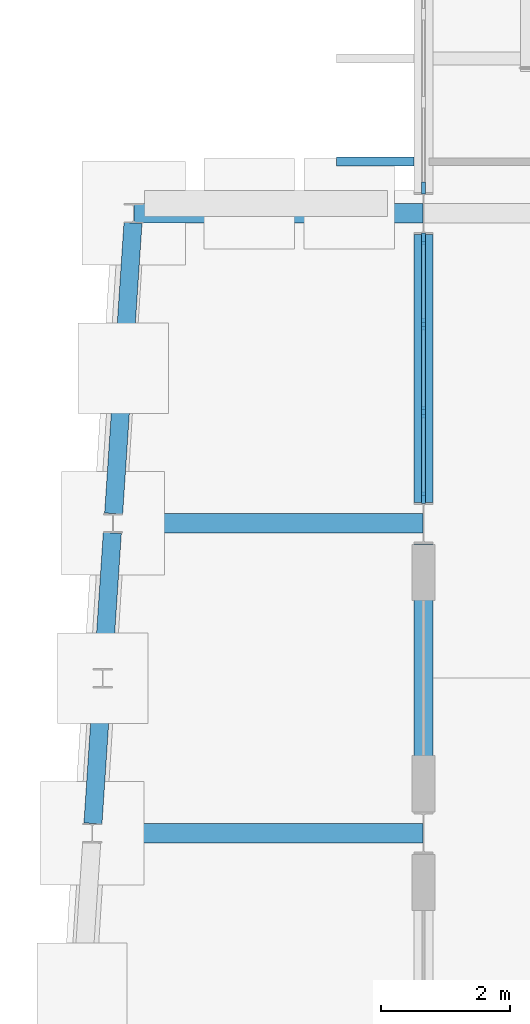
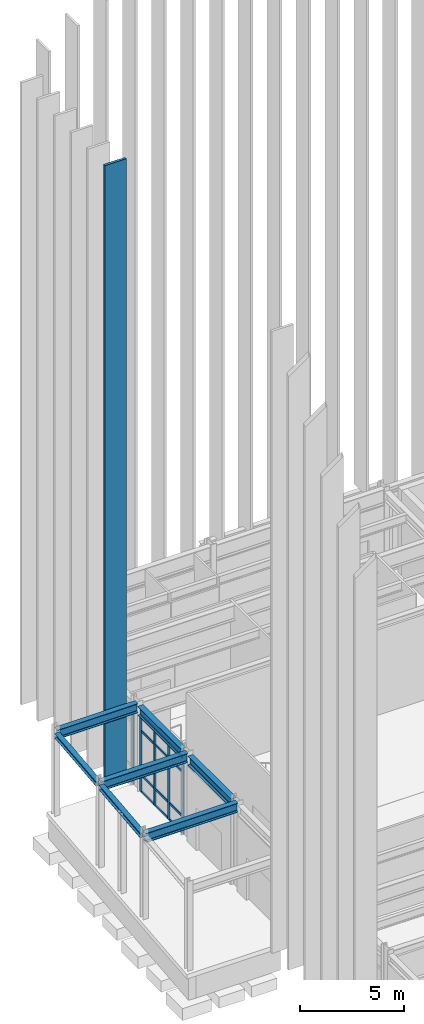
# One storey, part 45 of 109: 18 members, 7 beams, 2 elements without a shape of their own.
"""IFC4 building model written with IfcOpenShell, lengths in metres."""

from ifc_helpers import new_model, si_unit, direction, frame, origin, origin_2d, place, context, subcontext, project, spatial, rectangle, i_section, extrude, material, layer, layer_set, material_profile, profile_set, type_object, element, aggregate, save


model = new_model("IFC4")

# Units and contexts
model_context = context("Model", 3, precision=1e-05, world=origin(), true_north=direction((0.0, 1.0)))
body_context = subcontext(model_context, "Body", "Model", "MODEL_VIEW")
ifc_project = project(units=[si_unit("LENGTHUNIT", "METRE"), si_unit("AREAUNIT", "SQUARE_METRE"), si_unit("VOLUMEUNIT", "CUBIC_METRE"), si_unit("PLANEANGLEUNIT", "RADIAN"), si_unit("MASSUNIT", "GRAM", prefix="KILO")], contexts=[model_context])

# Site, building, storey
site_placement = place(None, origin())
site = spatial("IfcSite", under=ifc_project, at=site_placement, CompositionType="ELEMENT")
building_placement = place(site_placement, origin())
building = spatial("IfcBuilding", under=site, at=building_placement, Name="Nordkorset Police Headquarters", CompositionType="ELEMENT")
storey_placement = place(building_placement, origin())
storey = spatial("IfcBuildingStorey", under=building, at=storey_placement, Name="L00", CompositionType="ELEMENT", Elevation=0.0)

# Beams
ifc_material_1 = material(Name="Steel S355J2", Category="steel")
ifc_material_profile_1 = material_profile(ifc_material_1, i_section(OverallWidth=0.300048828125, OverallDepth=0.5400390625, WebThickness=0.012451171875, FlangeThickness=0.02392578125, FilletRadius=0.027099609375, at=origin_2d()), Name="HEA 550")
ifc_profile_set_1 = profile_set([ifc_material_profile_1], Name="Steel S355J2")
beam_type_1 = type_object("IfcBeamType", Name="BM-CANOPY-GIRD", PredefinedType="USERDEFINED", material=ifc_profile_set_1)
beam_1_placement = place(storey_placement, frame((-5.1240234375, 97.60009765625, 4.72998046875), z_axis=(1.0, 0.0, 0.0), x_axis=(0.0, 1.0, 0.0)))
element("IfcBeam", 1, at=beam_1_placement, inside=storey, type_object=beam_type_1, Name="Forecourt Canopy Girder 2", ObjectType="GIRDER", PredefinedType="USERDEFINED", context=body_context, shape_type="SweptSolid", body=[
    extrude(i_section(OverallWidth=0.300048828125, OverallDepth=0.5400390625, WebThickness=0.012451171875, FlangeThickness=0.02392578125, FilletRadius=0.027099609375, at=origin_2d()), origin(), (0.0, 0.0, 1.0), 5.115966796875),
])
beam_2_placement = place(storey_placement, frame((-4.803955078125, 102.39990234375, 4.72998046875), z_axis=(1.0, 0.0, 0.0), x_axis=(0.0, 1.0, 0.0)))
element("IfcBeam", 2, at=beam_2_placement, inside=storey, type_object=beam_type_1, Name="Forecourt Canopy Girder 3", ObjectType="GIRDER", PredefinedType="USERDEFINED", context=body_context, shape_type="SweptSolid", body=[
    extrude(i_section(OverallWidth=0.300048828125, OverallDepth=0.5400390625, WebThickness=0.012451171875, FlangeThickness=0.02392578125, FilletRadius=0.027099609375, at=origin_2d()), origin(), (0.0, 0.0, 1.0), 4.7958984375),
])
beam_3_placement = place(storey_placement, frame((-4.48388671875, 107.199951171875, 4.72998046875), z_axis=(1.0, 0.0, 0.0), x_axis=(0.0, 1.0, 0.0)))
element("IfcBeam", 3, at=beam_3_placement, inside=storey, type_object=beam_type_1, Name="Forecourt Canopy Girder 4", ObjectType="GIRDER", PredefinedType="USERDEFINED", context=body_context, shape_type="SweptSolid", body=[
    extrude(i_section(OverallWidth=0.300048828125, OverallDepth=0.5400390625, WebThickness=0.012451171875, FlangeThickness=0.02392578125, FilletRadius=0.027099609375, at=origin_2d()), origin(), (0.0, 0.0, 1.0), 4.475830078125),
])

# Curtain wall, members
ifc_material_2 = material(Name="Aluminium alloy AW-6060", Category="aluminium")
ifc_layer = layer(ifc_material_2, 0.179931640625, Name="Aluminium alloy AW-6060")
ifc_layer_set = layer_set([ifc_layer], Name="Aluminium alloy AW-6060")
curtain_wall_type = type_object("IfcCurtainWallType", Name="CW_Unit_408x444", PredefinedType="USERDEFINED", material=ifc_layer_set)
curtain_wall_1_placement = place(storey_placement, origin())
curtain_wall_1 = element("IfcCurtainWall", 4, at=curtain_wall_1_placement, inside=storey, type_object=curtain_wall_type, Name="Unitised Curtain Wall L00 V1W-4", ObjectType="UNITISED CURTAIN WALL", PredefinedType="USERDEFINED")
ifc_material_3 = material(Name="Aluminium alloy AW-6060", Category="aluminium")
ifc_material_profile_2 = material_profile(ifc_material_3, rectangle(XDim=0.06494140625, YDim=0.179931640625, at=origin_2d()), Name="ALU MULL 65x180")
ifc_profile_set_2 = profile_set([ifc_material_profile_2], Name="Aluminium alloy AW-6060")
member_type_1 = type_object("IfcMemberType", Name="CW_Mullion_65x180", PredefinedType="MULLION", material=ifc_profile_set_2)
member_1_placement = place(storey_placement, frame((0.0, 102.79248046875, 0.0), z_axis=(0.0, 0.0, 1.0), x_axis=(-1.0, 0.0, 0.0)))
member_1 = element("IfcMember", 5, at=member_1_placement, type_object=member_type_1, Name="CW-66 mullion 1", PredefinedType="MULLION", context=body_context, shape_type="SweptSolid", body=[
    extrude(rectangle(XDim=0.06494140625, YDim=0.179931640625, at=origin_2d()), origin(), (0.0, 0.0, 1.0), 4.43994140625),
])
member_2_placement = place(storey_placement, frame((0.0, 104.1201171875, 0.0), z_axis=(0.0, 0.0, 1.0), x_axis=(-1.0, 0.0, 0.0)))
member_2 = element("IfcMember", 6, at=member_2_placement, type_object=member_type_1, Name="CW-66 mullion 2", PredefinedType="MULLION", context=body_context, shape_type="SweptSolid", body=[
    extrude(rectangle(XDim=0.06494140625, YDim=0.179931640625, at=origin_2d()), origin(), (0.0, 0.0, 1.0), 4.43994140625),
])
member_3_placement = place(storey_placement, frame((0.0, 105.47998046875, 0.0), z_axis=(0.0, 0.0, 1.0), x_axis=(-1.0, 0.0, 0.0)))
member_3 = element("IfcMember", 7, at=member_3_placement, type_object=member_type_1, Name="CW-66 mullion 3", PredefinedType="MULLION", context=body_context, shape_type="SweptSolid", body=[
    extrude(rectangle(XDim=0.06494140625, YDim=0.179931640625, at=origin_2d()), origin(), (0.0, 0.0, 1.0), 4.43994140625),
])
member_4_placement = place(storey_placement, frame((0.0, 106.8076171875, 0.0), z_axis=(0.0, 0.0, 1.0), x_axis=(-1.0, 0.0, 0.0)))
member_4 = element("IfcMember", 8, at=member_4_placement, type_object=member_type_1, Name="CW-66 mullion 4", PredefinedType="MULLION", context=body_context, shape_type="SweptSolid", body=[
    extrude(rectangle(XDim=0.06494140625, YDim=0.179931640625, at=origin_2d()), origin(), (0.0, 0.0, 1.0), 4.43994140625),
])

# Curtain wall, member
curtain_wall_2_placement = place(storey_placement, origin())
curtain_wall_2 = element("IfcCurtainWall", 9, at=curtain_wall_2_placement, inside=storey, type_object=curtain_wall_type, Name="Unitised Curtain Wall L00 V1W-5", ObjectType="UNITISED CURTAIN WALL", PredefinedType="USERDEFINED")
member_5_placement = place(storey_placement, frame((0.0, 107.592529296875, 0.0), z_axis=(0.0, 0.0, 1.0), x_axis=(-1.0, 0.0, 0.0)))
member_5 = element("IfcMember", 10, at=member_5_placement, type_object=member_type_1, Name="CW-66 mullion 1", PredefinedType="MULLION", context=body_context, shape_type="SweptSolid", body=[
    extrude(rectangle(XDim=0.06494140625, YDim=0.179931640625, at=origin_2d()), origin(), (0.0, 0.0, 1.0), 4.43994140625),
])
aggregate(curtain_wall_2, [member_5])

# Member
ifc_material_4 = material(Name="Aluminium alloy AW-6060", Category="aluminium")
ifc_material_profile_3 = material_profile(ifc_material_4, rectangle(XDim=0.06494140625, YDim=0.139892578125, at=origin_2d()), Name="ALU TRAN 65x140")
ifc_profile_set_3 = profile_set([ifc_material_profile_3], Name="Aluminium alloy AW-6060")
member_type_2 = type_object("IfcMemberType", Name="CW_Transom_65x140", PredefinedType="USERDEFINED", material=ifc_profile_set_3)
member_6_placement = place(storey_placement, frame((0.0, 102.824951171875, 0.032470703125), z_axis=(0.0, 1.0, 0.0), x_axis=(-1.0, 0.0, 0.0)))
member_6 = element("IfcMember", 11, at=member_6_placement, type_object=member_type_2, Name="CW-66 transom 1.1", ObjectType="TRANSOM", PredefinedType="USERDEFINED", context=body_context, shape_type="SweptSolid", body=[
    extrude(rectangle(XDim=0.06494140625, YDim=0.139892578125, at=origin_2d()), origin(), (0.0, 0.0, 1.0), 1.262451171875),
])

member_7_placement = place(storey_placement, frame((0.0, 102.824951171875, 1.0), z_axis=(0.0, 1.0, 0.0), x_axis=(-1.0, 0.0, 0.0)))
member_7 = element("IfcMember", 12, at=member_7_placement, type_object=member_type_2, Name="CW-66 transom 1.2", ObjectType="TRANSOM", PredefinedType="USERDEFINED", context=body_context, shape_type="SweptSolid", body=[
    extrude(rectangle(XDim=0.06494140625, YDim=0.139892578125, at=origin_2d()), origin(), (0.0, 0.0, 1.0), 1.262451171875),
])

member_8_placement = place(storey_placement, frame((0.0, 102.824951171875, 3.590087890625), z_axis=(0.0, 1.0, 0.0), x_axis=(-1.0, 0.0, 0.0)))
member_8 = element("IfcMember", 13, at=member_8_placement, type_object=member_type_2, Name="CW-66 transom 1.3", ObjectType="TRANSOM", PredefinedType="USERDEFINED", context=body_context, shape_type="SweptSolid", body=[
    extrude(rectangle(XDim=0.06494140625, YDim=0.139892578125, at=origin_2d()), origin(), (0.0, 0.0, 1.0), 1.262451171875),
])

member_9_placement = place(storey_placement, frame((0.0, 102.824951171875, 4.407470703125), z_axis=(0.0, 1.0, 0.0), x_axis=(-1.0, 0.0, 0.0)))
member_9 = element("IfcMember", 14, at=member_9_placement, type_object=member_type_2, Name="CW-66 transom 1.4", ObjectType="TRANSOM", PredefinedType="USERDEFINED", context=body_context, shape_type="SweptSolid", body=[
    extrude(rectangle(XDim=0.06494140625, YDim=0.139892578125, at=origin_2d()), origin(), (0.0, 0.0, 1.0), 1.262451171875),
])

member_10_placement = place(storey_placement, frame((0.0, 104.152587890625, 0.032470703125), z_axis=(0.0, 1.0, 0.0), x_axis=(-1.0, 0.0, 0.0)))
member_10 = element("IfcMember", 15, at=member_10_placement, type_object=member_type_2, Name="CW-66 transom 2.1", ObjectType="TRANSOM", PredefinedType="USERDEFINED", context=body_context, shape_type="SweptSolid", body=[
    extrude(rectangle(XDim=0.06494140625, YDim=0.139892578125, at=origin_2d()), origin(), (0.0, 0.0, 1.0), 1.294921875),
])

member_11_placement = place(storey_placement, frame((0.0, 104.152587890625, 1.0), z_axis=(0.0, 1.0, 0.0), x_axis=(-1.0, 0.0, 0.0)))
member_11 = element("IfcMember", 16, at=member_11_placement, type_object=member_type_2, Name="CW-66 transom 2.2", ObjectType="TRANSOM", PredefinedType="USERDEFINED", context=body_context, shape_type="SweptSolid", body=[
    extrude(rectangle(XDim=0.06494140625, YDim=0.139892578125, at=origin_2d()), origin(), (0.0, 0.0, 1.0), 1.294921875),
])

member_12_placement = place(storey_placement, frame((0.0, 104.152587890625, 3.590087890625), z_axis=(0.0, 1.0, 0.0), x_axis=(-1.0, 0.0, 0.0)))
member_12 = element("IfcMember", 17, at=member_12_placement, type_object=member_type_2, Name="CW-66 transom 2.3", ObjectType="TRANSOM", PredefinedType="USERDEFINED", context=body_context, shape_type="SweptSolid", body=[
    extrude(rectangle(XDim=0.06494140625, YDim=0.139892578125, at=origin_2d()), origin(), (0.0, 0.0, 1.0), 1.294921875),
])

member_13_placement = place(storey_placement, frame((0.0, 104.152587890625, 4.407470703125), z_axis=(0.0, 1.0, 0.0), x_axis=(-1.0, 0.0, 0.0)))
member_13 = element("IfcMember", 18, at=member_13_placement, type_object=member_type_2, Name="CW-66 transom 2.4", ObjectType="TRANSOM", PredefinedType="USERDEFINED", context=body_context, shape_type="SweptSolid", body=[
    extrude(rectangle(XDim=0.06494140625, YDim=0.139892578125, at=origin_2d()), origin(), (0.0, 0.0, 1.0), 1.294921875),
])

member_14_placement = place(storey_placement, frame((0.0, 105.512451171875, 0.032470703125), z_axis=(0.0, 1.0, 0.0), x_axis=(-1.0, 0.0, 0.0)))
member_14 = element("IfcMember", 19, at=member_14_placement, type_object=member_type_2, Name="CW-66 transom 3.1", ObjectType="TRANSOM", PredefinedType="USERDEFINED", context=body_context, shape_type="SweptSolid", body=[
    extrude(rectangle(XDim=0.06494140625, YDim=0.139892578125, at=origin_2d()), origin(), (0.0, 0.0, 1.0), 1.262451171875),
])

member_15_placement = place(storey_placement, frame((0.0, 105.512451171875, 1.0), z_axis=(0.0, 1.0, 0.0), x_axis=(-1.0, 0.0, 0.0)))
member_15 = element("IfcMember", 20, at=member_15_placement, type_object=member_type_2, Name="CW-66 transom 3.2", ObjectType="TRANSOM", PredefinedType="USERDEFINED", context=body_context, shape_type="SweptSolid", body=[
    extrude(rectangle(XDim=0.06494140625, YDim=0.139892578125, at=origin_2d()), origin(), (0.0, 0.0, 1.0), 1.262451171875),
])

member_16_placement = place(storey_placement, frame((0.0, 105.512451171875, 3.590087890625), z_axis=(0.0, 1.0, 0.0), x_axis=(-1.0, 0.0, 0.0)))
member_16 = element("IfcMember", 21, at=member_16_placement, type_object=member_type_2, Name="CW-66 transom 3.3", ObjectType="TRANSOM", PredefinedType="USERDEFINED", context=body_context, shape_type="SweptSolid", body=[
    extrude(rectangle(XDim=0.06494140625, YDim=0.139892578125, at=origin_2d()), origin(), (0.0, 0.0, 1.0), 1.262451171875),
])

member_17_placement = place(storey_placement, frame((0.0, 105.512451171875, 4.407470703125), z_axis=(0.0, 1.0, 0.0), x_axis=(-1.0, 0.0, 0.0)))
member_17 = element("IfcMember", 22, at=member_17_placement, type_object=member_type_2, Name="CW-66 transom 3.4", ObjectType="TRANSOM", PredefinedType="USERDEFINED", context=body_context, shape_type="SweptSolid", body=[
    extrude(rectangle(XDim=0.06494140625, YDim=0.139892578125, at=origin_2d()), origin(), (0.0, 0.0, 1.0), 1.262451171875),
])

aggregate(curtain_wall_1, [member_1, member_2, member_3, member_4, member_6, member_7, member_8, member_9, member_10, member_11, member_12, member_13, member_14, member_15, member_16, member_17])

# Beams
ifc_material_5 = material(Name="Steel S355J2", Category="steel")
ifc_material_profile_4 = material_profile(ifc_material_5, i_section(OverallWidth=0.300048828125, OverallDepth=0.5400390625, WebThickness=0.012451171875, FlangeThickness=0.02392578125, FilletRadius=0.027099609375, at=origin_2d()), Name="HEA 550")
ifc_profile_set_4 = profile_set([ifc_material_profile_4], Name="Steel S355J2")
beam_type_2 = type_object("IfcBeamType", Name="Girder_HEA_550", PredefinedType="USERDEFINED", material=ifc_profile_set_4)
for number, where, z_axis, x_axis, name in (
    (23, (0.0, 97.925048828125, 4.72998046875), (0.0, 1.0, 0.0), (-1.0, 0.0, 0.0), "Girder V1 L00 GY-0-3"),
    (24, (0.0, 102.72509765625, 4.72998046875), (0.0, 1.0, 0.0), (-1.0, 0.0, 0.0), "Girder V1 L00 GY-0-4"),
):
    element("IfcBeam", number, at=place(storey_placement, frame(where, z_axis=z_axis, x_axis=x_axis)), inside=storey, type_object=beam_type_2, Name=name, ObjectType="GIRDER", PredefinedType="USERDEFINED", context=body_context, shape_type="SweptSolid", body=[
        extrude(i_section(OverallWidth=0.300048828125, OverallDepth=0.5400390625, WebThickness=0.012451171875, FlangeThickness=0.02392578125, FilletRadius=0.027099609375, at=origin_2d()), origin(), (0.0, 0.0, 1.0), 4.14990234375),
    ])

# Member
ifc_material_6 = material(Name="Glulam GL30c", Category="wood")
ifc_material_profile_5 = material_profile(ifc_material_6, rectangle(XDim=0.139892578125, YDim=1.199951171875, at=origin_2d()), Name="GL30C FIN 140x1200")
ifc_profile_set_5 = profile_set([ifc_material_profile_5], Name="Glulam GL30c")
member_type_3 = type_object("IfcMemberType", Name="Member_GlulamFin_140x1200", PredefinedType="USERDEFINED", material=ifc_profile_set_5)
member_18_placement = place(storey_placement, frame((-0.75, 108.0, 0.0), z_axis=(0.0, 0.0, 1.0), x_axis=(0.0, 1.0, 0.0)))
element("IfcMember", 25, at=member_18_placement, inside=storey, type_object=member_type_3, Name="Vertical Glulam Timber Fin West 016", ObjectType="VERTICAL TIMBER FIN", PredefinedType="USERDEFINED", context=body_context, shape_type="SweptSolid", body=[
    extrude(rectangle(XDim=0.139892578125, YDim=1.199951171875, at=origin_2d()), origin(), (0.0, 0.0, 1.0), 36.409912109375),
])

# Beams
ifc_material_7 = material(Name="Steel S355J2", Category="steel")
ifc_material_profile_6 = material_profile(ifc_material_7, i_section(OverallWidth=0.280029296875, OverallDepth=0.27001953125, WebThickness=0.008056640625, FlangeThickness=0.012939453125, FilletRadius=0.02392578125, at=origin_2d()), Name="HEA 280")
ifc_profile_set_6 = profile_set([ifc_material_profile_6], Name="Steel S355J2")
beam_type_3 = type_object("IfcBeamType", Name="Spandrel_HEA_280", PredefinedType="SPANDREL", material=ifc_profile_set_6)
beam_4_placement = place(storey_placement, frame((-5.1201171875, 97.749755859375, 4.72998046875), z_axis=(0.066522603051, 0.997784918348, 0.0), x_axis=(-0.997784918348, 0.066522603051, 0.0)))
element("IfcBeam", 26, at=beam_4_placement, inside=storey, type_object=beam_type_3, Name="Forecourt Canopy Edge Tie 2", PredefinedType="SPANDREL", context=body_context, shape_type="SweptSolid", body=[
    extrude(i_section(OverallWidth=0.280029296875, OverallDepth=0.27001953125, WebThickness=0.008056640625, FlangeThickness=0.012939453125, FilletRadius=0.02392578125, at=origin_2d()), origin(), (0.0, 0.0, 1.0), 4.510498046875),
])
beam_5_placement = place(storey_placement, frame((-4.800048828125, 102.549560546875, 4.72998046875), z_axis=(0.066519010524, 0.997785157857, 0.0), x_axis=(-0.997785157857, 0.066519010524, 0.0)))
element("IfcBeam", 27, at=beam_5_placement, inside=storey, type_object=beam_type_3, Name="Forecourt Canopy Edge Tie 3", PredefinedType="SPANDREL", context=body_context, shape_type="SweptSolid", body=[
    extrude(i_section(OverallWidth=0.280029296875, OverallDepth=0.27001953125, WebThickness=0.008056640625, FlangeThickness=0.012939453125, FilletRadius=0.02392578125, at=origin_2d()), origin(), (0.0, 0.0, 1.0), 4.5107421875),
])

save(model, "model.ifc")
